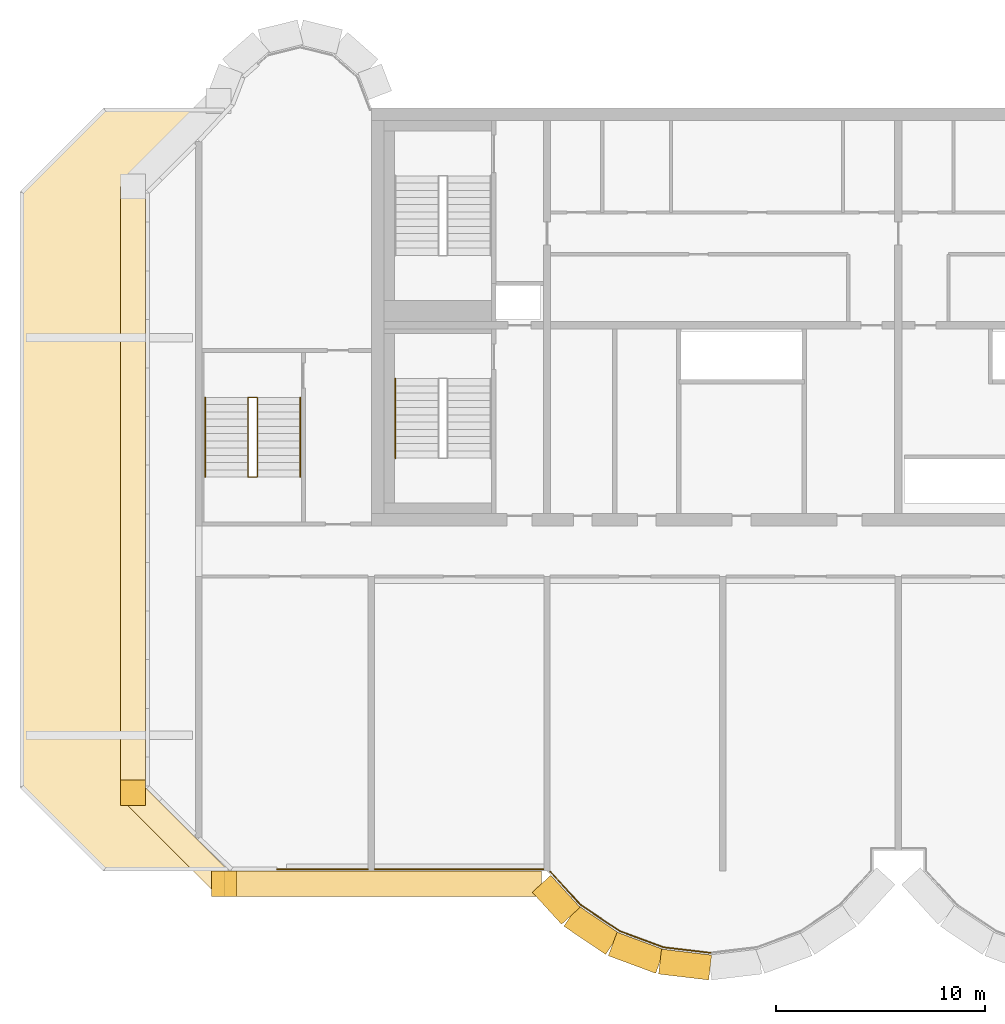
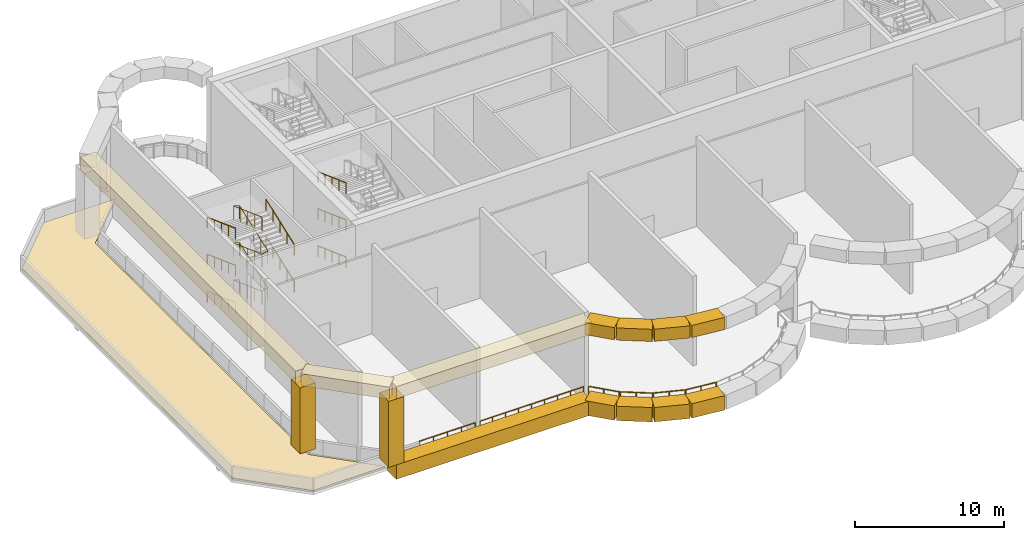
# One storey, part 7 of 11: 19 railings, 15 coverings.
"""IFC4 building model written with IfcOpenShell, lengths in metres."""

from ifc_helpers import new_model, si_unit, direction, frame, origin, origin_2d, place, context, subcontext, project, spatial, polyline, rectangle, circle, outline, extrude, source, transform, mapped, material, layer, layer_set, type_object, element, save


model = new_model("IFC4")

# Units and contexts
model_context = context("Model", 3, precision=1e-05, world=origin(), true_north=direction((0.0, 1.0)))
body_context = subcontext(model_context, "Body", "Model", "MODEL_VIEW")
ifc_project = project(units=[si_unit("LENGTHUNIT", "METRE"), si_unit("AREAUNIT", "SQUARE_METRE"), si_unit("VOLUMEUNIT", "CUBIC_METRE"), si_unit("PLANEANGLEUNIT", "RADIAN"), si_unit("MASSUNIT", "GRAM", prefix="KILO")], contexts=[model_context])

# Site, building, storey
site_placement = place(None, origin())
site = spatial("IfcSite", under=ifc_project, at=site_placement, CompositionType="ELEMENT")
building_placement = place(site_placement, origin())
building = spatial("IfcBuilding", under=site, at=building_placement, Name="Vanashikhar Sky Hotel", CompositionType="ELEMENT")
storey_placement = place(building_placement, frame((0.0, 0.0, 206.39990234375)))
storey = spatial("IfcBuildingStorey", under=building, at=storey_placement, Name="L50", CompositionType="ELEMENT", Elevation=206.39990234375)

# Railings
ifc_material_1 = material(Name="Stainless steel 316", Category="steel")
railing_type_1 = type_object("IfcRailingType", Name="Open edge guard 1200", PredefinedType="GUARDRAIL", material=ifc_material_1)
shared_shape_1 = source(origin(), body_context, "Body", "SweptSolid", [
    extrude(circle(Radius=0.02392578125, at=origin_2d()), frame((0.0, 0.0, 1.17578125), z_axis=(-1.0, 0.0, 0.0), x_axis=(0.0, -1.0, 0.0)), (0.0, 0.0, 1.0), 2.17041015625),
    extrude(circle(Radius=0.02099609375, at=origin_2d()), origin(), (0.0, 0.0, 1.0), 1.15185546875),
    extrude(circle(Radius=0.02099609375, at=origin_2d()), frame((-1.085205078125, 0.0, 0.0)), (0.0, 0.0, 1.0), 1.15185546875),
    extrude(circle(Radius=0.02099609375, at=origin_2d()), frame((-2.17041015625, 0.0, 0.0)), (0.0, 0.0, 1.0), 1.15185546875),
])
for number, where, name in (
    (1, (25.030029296875, 5.60009765625, 0.0), "Open edge guard"),
    (2, (22.859619140625, 5.60009765625, 0.0), "Open edge guard"),
):
    element("IfcRailing", number, at=place(storey_placement, frame(where)), inside=storey, type_object=railing_type_1, Name=name, PredefinedType="GUARDRAIL", context=body_context, shape_type="MappedRepresentation", body=[
        mapped(shared_shape_1, transform((0.0, 0.0, 0.0), scale=1.0)),
    ])
shared_shape_2 = source(origin(), body_context, "Body", "SweptSolid", [
    extrude(circle(Radius=0.02392578125, at=origin_2d()), frame((0.0, 0.0, 1.17578125), z_axis=(-1.0, 0.0, 0.0), x_axis=(0.0, -1.0, 0.0)), (0.0, 0.0, 1.0), 2.014892578125),
    extrude(circle(Radius=0.02099609375, at=origin_2d()), origin(), (0.0, 0.0, 1.0), 1.15185546875),
    extrude(circle(Radius=0.02099609375, at=origin_2d()), frame((-1.00732421875, 0.0, 0.0)), (0.0, 0.0, 1.0), 1.15185546875),
    extrude(circle(Radius=0.02099609375, at=origin_2d()), frame((-2.014892578125, 0.0, 0.0)), (0.0, 0.0, 1.0), 1.15185546875),
])
for number, where, name in (
    (3, (33.429931640625, 5.60009765625, 0.0), "Open edge guard"),
    (4, (29.39990234375, 5.60009765625, 0.0), "Open edge guard"),
    (5, (27.385009765625, 5.60009765625, 0.0), "Open edge guard"),
):
    element("IfcRailing", number, at=place(storey_placement, frame(where)), inside=storey, type_object=railing_type_1, Name=name, PredefinedType="GUARDRAIL", context=body_context, shape_type="MappedRepresentation", body=[
        mapped(shared_shape_2, transform((0.0, 0.0, 0.0), scale=1.0)),
    ])
shared_shape_3 = source(origin(), body_context, "Body", "SweptSolid", [
    extrude(circle(Radius=0.02392578125, at=origin_2d()), frame((0.0, 0.0, 1.17578125), z_axis=(-1.0, 0.0, 0.0), x_axis=(0.0, -1.0, 0.0)), (0.0, 0.0, 1.0), 2.01513671875),
    extrude(circle(Radius=0.02099609375, at=origin_2d()), origin(), (0.0, 0.0, 1.0), 1.15185546875),
    extrude(circle(Radius=0.02099609375, at=origin_2d()), frame((-1.007568359375, 0.0, 0.0)), (0.0, 0.0, 1.0), 1.15185546875),
    extrude(circle(Radius=0.02099609375, at=origin_2d()), frame((-2.01513671875, 0.0, 0.0)), (0.0, 0.0, 1.0), 1.15185546875),
])
railing_1_placement = place(storey_placement, frame((31.4150390625, 5.60009765625, 0.0)))
element("IfcRailing", 6, at=railing_1_placement, inside=storey, type_object=railing_type_1, Name="Open edge guard", PredefinedType="GUARDRAIL", context=body_context, shape_type="MappedRepresentation", body=[
    mapped(shared_shape_3, transform((0.0, 0.0, 0.0), scale=1.0)),
])
shared_shape_4 = source(origin(), body_context, "Body", "SweptSolid", [
    extrude(circle(Radius=0.02392578125, at=origin_2d()), frame((0.0, 0.0, 1.17578125), z_axis=(-0.991600411186, -0.129339184068, 0.0), x_axis=(0.129339184068, -0.991600411186, 0.0)), (0.0, 0.0, 1.0), 0.022705078125),
    extrude(circle(Radius=0.02392578125, at=origin_2d()), frame((-0.0224609375, -0.0029296875, 1.17578125), z_axis=(-0.992998490832, 0.118127038414, 0.0), x_axis=(-0.118127038414, -0.992998490832, 0.0)), (0.0, 0.0, 1.0), 2.203125),
    extrude(circle(Radius=0.02099609375, at=origin_2d()), origin(), (0.0, 0.0, 1.0), 1.15185546875),
    extrude(circle(Radius=0.02099609375, at=origin_2d()), frame((-0.0224609375, -0.0029296875, 0.0)), (0.0, 0.0, 1.0), 1.15185546875),
    extrude(circle(Radius=0.02099609375, at=origin_2d()), frame((-1.1162109375, 0.127197265625, 0.0)), (0.0, 0.0, 1.0), 1.15185546875),
    extrude(circle(Radius=0.02099609375, at=origin_2d()), frame((-2.210205078125, 0.25732421875, 0.0)), (0.0, 0.0, 1.0), 1.15185546875),
])
railing_2_placement = place(storey_placement, frame((41.42236328125, 1.603515625, 0.0)))
element("IfcRailing", 7, at=railing_2_placement, inside=storey, type_object=railing_type_1, Name="Open edge guard", PredefinedType="GUARDRAIL", context=body_context, shape_type="MappedRepresentation", body=[
    mapped(shared_shape_4, transform((0.0, 0.0, 0.0), scale=1.0)),
])
shared_shape_5 = source(origin(), body_context, "Body", "SweptSolid", [
    extrude(circle(Radius=0.02392578125, at=origin_2d()), frame((0.0, 0.0, 1.17578125), z_axis=(-0.99279561301, 0.119820160191, 0.0), x_axis=(-0.119820160191, -0.99279561301, 0.0)), (0.0, 0.0, 1.0), 0.042724609375),
    extrude(circle(Radius=0.02392578125, at=origin_2d()), frame((-0.04248046875, 0.005126953125, 1.17578125), z_axis=(-0.937546214911, 0.347860740679, 0.0), x_axis=(-0.347860740679, -0.937546214911, 0.0)), (0.0, 0.0, 1.0), 2.1826171875),
    extrude(circle(Radius=0.02099609375, at=origin_2d()), origin(), (0.0, 0.0, 1.0), 1.15185546875),
    extrude(circle(Radius=0.02099609375, at=origin_2d()), frame((-0.04248046875, 0.005126953125, 0.0)), (0.0, 0.0, 1.0), 1.15185546875),
    extrude(circle(Radius=0.02099609375, at=origin_2d()), frame((-1.065673828125, 0.384765625, 0.0)), (0.0, 0.0, 1.0), 1.15185546875),
    extrude(circle(Radius=0.02099609375, at=origin_2d()), frame((-2.0888671875, 0.764404296875, 0.0)), (0.0, 0.0, 1.0), 1.15185546875),
])
railing_3_placement = place(storey_placement, frame((39.212158203125, 1.86083984375, 0.0)))
element("IfcRailing", 8, at=railing_3_placement, inside=storey, type_object=railing_type_1, Name="Open edge guard", PredefinedType="GUARDRAIL", context=body_context, shape_type="MappedRepresentation", body=[
    mapped(shared_shape_5, transform((0.0, 0.0, 0.0), scale=1.0)),
])
shared_shape_6 = source(origin(), body_context, "Body", "SweptSolid", [
    extrude(circle(Radius=0.02392578125, at=origin_2d()), frame((0.0, 0.0, 1.17578125), z_axis=(-0.93710644919, 0.349043697674, 0.0), x_axis=(-0.349043697674, -0.93710644919, 0.0)), (0.0, 0.0, 1.0), 0.064453125),
    extrude(circle(Radius=0.02392578125, at=origin_2d()), frame((-0.060302734375, 0.0224609375, 1.17578125), z_axis=(-0.829591772708, 0.558370388412, 0.0), x_axis=(-0.558370388412, -0.829591772708, 0.0)), (0.0, 0.0, 1.0), 2.161376953125),
    extrude(circle(Radius=0.02099609375, at=origin_2d()), origin(), (0.0, 0.0, 1.0), 1.15185546875),
    extrude(circle(Radius=0.02099609375, at=origin_2d()), frame((-0.060302734375, 0.0224609375, 0.0)), (0.0, 0.0, 1.0), 1.15185546875),
    extrude(circle(Radius=0.02099609375, at=origin_2d()), frame((-0.956787109375, 0.6259765625, 0.0)), (0.0, 0.0, 1.0), 1.15185546875),
    extrude(circle(Radius=0.02099609375, at=origin_2d()), frame((-1.853271484375, 1.229248046875, 0.0)), (0.0, 0.0, 1.0), 1.15185546875),
])
railing_4_placement = place(storey_placement, frame((37.123291015625, 2.625244140625, 0.0)))
element("IfcRailing", 9, at=railing_4_placement, inside=storey, type_object=railing_type_1, Name="Open edge guard", PredefinedType="GUARDRAIL", context=body_context, shape_type="MappedRepresentation", body=[
    mapped(shared_shape_6, transform((0.0, 0.0, 0.0), scale=1.0)),
])
shared_shape_7 = source(origin(), body_context, "Body", "SweptSolid", [
    extrude(circle(Radius=0.02392578125, at=origin_2d()), frame((0.0, 0.0, 1.17578125), z_axis=(-0.830296320178, 0.557322187517, 0.0), x_axis=(-0.557322187517, -0.830296320178, 0.0)), (0.0, 0.0, 1.0), 0.0859375),
    extrude(circle(Radius=0.02392578125, at=origin_2d()), frame((-0.0712890625, 0.0478515625, 1.17578125), z_axis=(-0.675388701556, 0.737461932448, 0.0), x_axis=(-0.737461932448, -0.675388701556, 0.0)), (0.0, 0.0, 1.0), 2.1396484375),
    extrude(circle(Radius=0.02099609375, at=origin_2d()), origin(), (0.0, 0.0, 1.0), 1.15185546875),
    extrude(circle(Radius=0.02099609375, at=origin_2d()), frame((-0.0712890625, 0.0478515625, 0.0)), (0.0, 0.0, 1.0), 1.15185546875),
    extrude(circle(Radius=0.02099609375, at=origin_2d()), frame((-0.7939453125, 0.8369140625, 0.0)), (0.0, 0.0, 1.0), 1.15185546875),
    extrude(circle(Radius=0.02099609375, at=origin_2d()), frame((-1.516357421875, 1.625732421875, 0.0)), (0.0, 0.0, 1.0), 1.15185546875),
])
railing_5_placement = place(storey_placement, frame((35.27001953125, 3.8544921875, 0.0)))
element("IfcRailing", 10, at=railing_5_placement, inside=storey, type_object=railing_type_1, Name="Open edge guard", PredefinedType="GUARDRAIL", context=body_context, shape_type="MappedRepresentation", body=[
    mapped(shared_shape_7, transform((0.0, 0.0, 0.0), scale=1.0)),
])

# Coverings
ifc_material_2 = material(Name="Concrete M60 dark", Category="concrete")
covering_type_1 = type_object("IfcCoveringType", Name="Wind floor portal frame", PredefinedType="CLADDING", material=ifc_material_2)
shared_shape_8 = source(origin(), body_context, "Body", "SweptSolid", [
    extrude(rectangle(XDim=15.184326171875, YDim=1.199951171875, at=origin_2d()), origin(), (0.0, 0.0, 1.0), 1.0),
])
covering_1_placement = place(storey_placement, frame((25.74365234375, 4.89990234375, 6.320068359375), z_axis=(0.0, 0.0, 1.0), x_axis=(1.0, 0.0, 0.0)))
element("IfcCovering", 11, at=covering_1_placement, inside=storey, type_object=covering_type_1, Name="Portal frame head", PredefinedType="CLADDING", context=body_context, shape_type="MappedRepresentation", body=[
    mapped(shared_shape_8, transform((0.0, 0.0, 0.0), scale=1.0)),
])
shared_shape_9 = source(origin(), body_context, "Body", "SweptSolid", [
    extrude(rectangle(XDim=15.184326171875, YDim=1.199951171875, at=origin_2d()), origin(), (0.0, 0.0, 1.0), 1.179931640625),
])
covering_2_placement = place(storey_placement, frame((25.74365234375, 4.89990234375, -0.27978515625), z_axis=(0.0, 0.0, 1.0), x_axis=(1.0, 0.0, 0.0)))
element("IfcCovering", 12, at=covering_2_placement, inside=storey, type_object=covering_type_1, Name="Portal frame sill", PredefinedType="CLADDING", context=body_context, shape_type="MappedRepresentation", body=[
    mapped(shared_shape_9, transform((0.0, 0.0, 0.0), scale=1.0)),
])
shared_shape_10 = source(origin(), body_context, "Body", "SweptSolid", [
    extrude(rectangle(XDim=2.0771484375, YDim=1.199951171875, at=origin_2d()), origin(), (0.0, 0.0, 1.0), 1.0),
])
covering_3_placement = place(storey_placement, frame((34.037353515625, 4.134033203125, 6.320068359375), z_axis=(0.0, 0.0, 1.0), x_axis=(0.67534568005, -0.737501330465, 0.0)))
element("IfcCovering", 13, at=covering_3_placement, inside=storey, type_object=covering_type_1, Name="Portal frame head", PredefinedType="CLADDING", context=body_context, shape_type="MappedRepresentation", body=[
    mapped(shared_shape_10, transform((0.0, 0.0, 0.0), scale=1.0)),
])
shared_shape_11 = source(origin(), body_context, "Body", "SweptSolid", [
    extrude(rectangle(XDim=2.0771484375, YDim=1.199951171875, at=origin_2d()), origin(), (0.0, 0.0, 1.0), 1.179931640625),
])
covering_4_placement = place(storey_placement, frame((34.037353515625, 4.134033203125, -0.27978515625), z_axis=(0.0, 0.0, 1.0), x_axis=(0.67534568005, -0.737501330465, 0.0)))
element("IfcCovering", 14, at=covering_4_placement, inside=storey, type_object=covering_type_1, Name="Portal frame sill", PredefinedType="CLADDING", context=body_context, shape_type="MappedRepresentation", body=[
    mapped(shared_shape_11, transform((0.0, 0.0, 0.0), scale=1.0)),
])
shared_shape_12 = source(origin(), body_context, "Body", "SweptSolid", [
    extrude(rectangle(XDim=2.413818359375, YDim=1.199951171875, at=origin_2d()), origin(), (0.0, 0.0, 1.0), 1.0),
])
for number, where, z_axis, x_axis, name in (
    (15, (35.739990234375, 2.694091796875, 6.320068359375), (0.0, 0.0, 1.0), (0.829603213612, -0.558353389857, 0.0), "Portal frame head"),
    (16, (37.872802734375, 1.6005859375, 6.320068359375), (0.0, 0.0, 1.0), (0.937531182424, -0.347901253208, 0.0), "Portal frame head"),
):
    element("IfcCovering", number, at=place(storey_placement, frame(where, z_axis=z_axis, x_axis=x_axis)), inside=storey, type_object=covering_type_1, Name=name, PredefinedType="CLADDING", context=body_context, shape_type="MappedRepresentation", body=[
        mapped(shared_shape_12, transform((0.0, 0.0, 0.0), scale=1.0)),
    ])
shared_shape_13 = source(origin(), body_context, "Body", "SweptSolid", [
    extrude(rectangle(XDim=2.413818359375, YDim=1.199951171875, at=origin_2d()), origin(), (0.0, 0.0, 1.0), 1.179931640625),
])
for number, where, z_axis, x_axis, name in (
    (17, (35.739990234375, 2.694091796875, -0.27978515625), (0.0, 0.0, 1.0), (0.829603213612, -0.558353389857, 0.0), "Portal frame sill"),
    (18, (37.872802734375, 1.6005859375, -0.27978515625), (0.0, 0.0, 1.0), (0.937531182424, -0.347901253208, 0.0), "Portal frame sill"),
):
    element("IfcCovering", number, at=place(storey_placement, frame(where, z_axis=z_axis, x_axis=x_axis)), inside=storey, type_object=covering_type_1, Name=name, PredefinedType="CLADDING", context=body_context, shape_type="MappedRepresentation", body=[
        mapped(shared_shape_13, transform((0.0, 0.0, 0.0), scale=1.0)),
    ])
shared_shape_14 = source(origin(), body_context, "Body", "SweptSolid", [
    extrude(rectangle(XDim=2.41259765625, YDim=1.199951171875, at=origin_2d()), origin(), (0.0, 0.0, 1.0), 1.0),
])
covering_5_placement = place(storey_placement, frame((40.2021484375, 1.0380859375, 6.320068359375), z_axis=(0.0, 0.0, 1.0), x_axis=(0.993008838731, -0.118040019495, 0.0)))
element("IfcCovering", 19, at=covering_5_placement, inside=storey, type_object=covering_type_1, Name="Portal frame head", PredefinedType="CLADDING", context=body_context, shape_type="MappedRepresentation", body=[
    mapped(shared_shape_14, transform((0.0, 0.0, 0.0), scale=1.0)),
])
shared_shape_15 = source(origin(), body_context, "Body", "SweptSolid", [
    extrude(rectangle(XDim=2.41259765625, YDim=1.199951171875, at=origin_2d()), origin(), (0.0, 0.0, 1.0), 1.179931640625),
])
covering_6_placement = place(storey_placement, frame((40.2021484375, 1.0380859375, -0.27978515625), z_axis=(0.0, 0.0, 1.0), x_axis=(0.993008838731, -0.118040019495, 0.0)))
element("IfcCovering", 20, at=covering_6_placement, inside=storey, type_object=covering_type_1, Name="Portal frame sill", PredefinedType="CLADDING", context=body_context, shape_type="MappedRepresentation", body=[
    mapped(shared_shape_15, transform((0.0, 0.0, 0.0), scale=1.0)),
])
shared_shape_16 = source(origin(), body_context, "Body", "SweptSolid", [
    extrude(rectangle(XDim=6.154052734375, YDim=1.199951171875, at=origin_2d()), origin(), (0.0, 0.0, 1.0), 1.0),
])
covering_7_placement = place(storey_placement, frame((15.9755859375, 7.07568359375, 6.320068359375), z_axis=(0.0, 0.0, 1.0), x_axis=(0.707106781187, -0.707106781187, 0.0)))
element("IfcCovering", 21, at=covering_7_placement, inside=storey, type_object=covering_type_1, Name="Portal frame head", PredefinedType="CLADDING", context=body_context, shape_type="MappedRepresentation", body=[
    mapped(shared_shape_16, transform((0.0, 0.0, 0.0), scale=1.0)),
])
shared_shape_17 = source(origin(), body_context, "Body", "SweptSolid", [
    extrude(rectangle(XDim=28.9970703125, YDim=1.199951171875, at=origin_2d()), origin(), (0.0, 0.0, 1.0), 1.0),
])
covering_8_placement = place(storey_placement, frame((13.800048828125, 23.75, 6.320068359375), z_axis=(0.0, 0.0, 1.0), x_axis=(0.0, -1.0, 0.0)))
element("IfcCovering", 22, at=covering_8_placement, inside=storey, type_object=covering_type_1, Name="Portal frame head", PredefinedType="CLADDING", context=body_context, shape_type="MappedRepresentation", body=[
    mapped(shared_shape_17, transform((0.0, 0.0, 0.0), scale=1.0)),
])
shared_shape_18 = source(origin(), body_context, "Body", "SweptSolid", [
    extrude(rectangle(XDim=1.199951171875, YDim=1.199951171875, at=origin_2d()), origin(), (0.0, 0.0, 1.0), 5.419921875),
])
for number, where, z_axis, x_axis, name in (
    (23, (13.800048828125, 9.25146484375, 0.900146484375), (0.0, 0.0, 1.0), (1.0, 0.0, 0.0), "Portal frame jamb"),
    (24, (18.151611328125, 4.89990234375, 0.900146484375), (0.0, 0.0, 1.0), (1.0, 0.0, 0.0), "Portal frame jamb"),
):
    element("IfcCovering", number, at=place(storey_placement, frame(where, z_axis=z_axis, x_axis=x_axis)), inside=storey, type_object=covering_type_1, Name=name, PredefinedType="CLADDING", context=body_context, shape_type="MappedRepresentation", body=[
        mapped(shared_shape_18, transform((0.0, 0.0, 0.0), scale=1.0)),
    ])
ifc_material_3 = material(Name="Paving stone", Category="masonry")
ifc_layer = layer(ifc_material_3, 0.050048828125)
ifc_layer_set = layer_set([ifc_layer], Name="Paving stone 50")
covering_type_2 = type_object("IfcCoveringType", Name="Paving stone 50", PredefinedType="FLOORING", material=ifc_layer_set)
shared_shape_19 = source(origin(), body_context, "Body", "SweptSolid", [
    extrude(outline(polyline([(18.105224609375, 5.6220703125), (12.45068359375, 5.6220703125), (8.52197265625, 9.55078125), (8.52197265625, 37.94921875), (12.45068359375, 41.8779296875), (18.105224609375, 41.8779296875), (14.278076171875, 38.05078125), (14.278076171875, 9.44921875), (18.105224609375, 5.6220703125)])), origin(), (0.0, 0.0, 1.0), 0.0498046875),
])
covering_9_placement = place(storey_placement, frame((0.0, 0.0, -0.0498046875)))
element("IfcCovering", 25, at=covering_9_placement, inside=storey, type_object=covering_type_2, Name="Terrace paving", PredefinedType="FLOORING", context=body_context, shape_type="MappedRepresentation", body=[
    mapped(shared_shape_19, transform((0.0, 0.0, 0.0), scale=1.0)),
])

# Railings
ifc_material_4 = material(Name="Steel S355", Category="steel")
railing_type_2 = type_object("IfcRailingType", Name="Stair handrail 900", PredefinedType="HANDRAIL", material=ifc_material_4)
shared_shape_20 = source(origin(), body_context, "Body", "SweptSolid", [
    extrude(circle(Radius=0.02392578125, at=origin_2d()), frame((0.0, 0.0, 0.8759765625), z_axis=(0.0, -0.938879565204, 0.344245787255), x_axis=(1.0, 0.0, 0.0)), (0.0, 0.0, 1.0), 4.04736328125),
    extrude(circle(Radius=0.02099609375, at=origin_2d()), origin(), (0.0, 0.0, 1.0), 0.851806640625),
    extrude(circle(Radius=0.02099609375, at=origin_2d()), frame((0.0, -0.949951171875, 0.348388671875)), (0.0, 0.0, 1.0), 0.851806640625),
    extrude(circle(Radius=0.02099609375, at=origin_2d()), frame((0.0, -1.89990234375, 0.69677734375)), (0.0, 0.0, 1.0), 0.851806640625),
    extrude(circle(Radius=0.02099609375, at=origin_2d()), frame((0.0, -2.85009765625, 1.044921875)), (0.0, 0.0, 1.0), 0.851806640625),
    extrude(circle(Radius=0.02099609375, at=origin_2d()), frame((0.0, -3.800048828125, 1.393310546875)), (0.0, 0.0, 1.0), 0.851806640625),
])
for number, where, name in (
    (26, (26.35009765625, 29.050048828125, 0.126708984375), "Exit stair 1 handrail"),
    (27, (26.35009765625, 29.050048828125, 3.166748046875), "Exit stair 1 handrail"),
    (28, (26.35009765625, 29.050048828125, 6.206787109375), "Exit stair 1 handrail"),
):
    element("IfcRailing", number, at=place(storey_placement, frame(where)), inside=storey, type_object=railing_type_2, Name=name, PredefinedType="HANDRAIL", context=body_context, shape_type="MappedRepresentation", body=[
        mapped(shared_shape_20, transform((0.0, 0.0, 0.0), scale=1.0)),
    ])
railing_type_3 = type_object("IfcRailingType", Name="Stair guard 1100", PredefinedType="GUARDRAIL", material=ifc_material_4)
shared_shape_21 = source(origin(), body_context, "Body", "SweptSolid", [
    extrude(circle(Radius=0.02392578125, at=origin_2d()), frame((0.0, 0.0, 1.076171875), z_axis=(-0.962561556651, 0.0, 0.271063183886), x_axis=(0.0, -1.0, 0.0)), (0.0, 0.0, 1.0), 0.467529296875),
    extrude(circle(Radius=0.02392578125, at=origin_2d()), frame((-0.449951171875, 0.0, 1.20263671875), z_axis=(0.0, -0.938872416375, 0.344265284005), x_axis=(1.0, 0.0, 0.0)), (0.0, 0.0, 1.0), 4.047119140625),
    extrude(circle(Radius=0.02392578125, at=origin_2d()), frame((-0.449951171875, -3.7998046875, 2.59619140625), z_axis=(0.962561556651, 0.0, 0.271063183886), x_axis=(0.0, 1.0, 0.0)), (0.0, 0.0, 1.0), 0.467529296875),
    extrude(circle(Radius=0.02392578125, at=origin_2d()), frame((0.0, -3.7998046875, 2.72265625), z_axis=(0.0, 0.938872416375, 0.344265284005), x_axis=(-1.0, 0.0, 0.0)), (0.0, 0.0, 1.0), 4.047119140625),
    extrude(circle(Radius=0.02392578125, at=origin_2d()), frame((0.0, 0.0, 4.1162109375), z_axis=(-0.962561556651, 0.0, 0.271063183886), x_axis=(0.0, -1.0, 0.0)), (0.0, 0.0, 1.0), 0.467529296875),
    extrude(circle(Radius=0.02392578125, at=origin_2d()), frame((-0.449951171875, 0.0, 4.24267578125), z_axis=(0.0, -0.938872416375, 0.344265284005), x_axis=(1.0, 0.0, 0.0)), (0.0, 0.0, 1.0), 4.047119140625),
    extrude(circle(Radius=0.02392578125, at=origin_2d()), frame((-0.449951171875, -3.7998046875, 5.63623046875), z_axis=(0.962561556651, 0.0, 0.271063183886), x_axis=(0.0, 1.0, 0.0)), (0.0, 0.0, 1.0), 0.467529296875),
    extrude(circle(Radius=0.02392578125, at=origin_2d()), frame((0.0, -3.7998046875, 5.7626953125), z_axis=(0.0, 0.938872416375, 0.344265284005), x_axis=(-1.0, 0.0, 0.0)), (0.0, 0.0, 1.0), 4.047119140625),
    extrude(circle(Radius=0.02392578125, at=origin_2d()), frame((0.0, 0.0, 7.15625), z_axis=(-0.962561556651, 0.0, 0.271063183886), x_axis=(0.0, -1.0, 0.0)), (0.0, 0.0, 1.0), 0.467529296875),
    extrude(circle(Radius=0.02392578125, at=origin_2d()), frame((-0.449951171875, 0.0, 7.28271484375), z_axis=(0.0, -0.938872416375, 0.344265284005), x_axis=(1.0, 0.0, 0.0)), (0.0, 0.0, 1.0), 4.047119140625),
    extrude(circle(Radius=0.02099609375, at=origin_2d()), origin(), (0.0, 0.0, 1.0), 1.052001953125),
    extrude(circle(Radius=0.02099609375, at=origin_2d()), frame((-0.449951171875, 0.0, 0.126708984375)), (0.0, 0.0, 1.0), 1.052001953125),
    extrude(circle(Radius=0.02099609375, at=origin_2d()), frame((-0.449951171875, -0.949951171875, 0.47509765625)), (0.0, 0.0, 1.0), 1.052001953125),
    extrude(circle(Radius=0.02099609375, at=origin_2d()), frame((-0.449951171875, -1.89990234375, 0.8232421875)), (0.0, 0.0, 1.0), 1.052001953125),
    extrude(circle(Radius=0.02099609375, at=origin_2d()), frame((-0.449951171875, -2.849853515625, 1.171630859375)), (0.0, 0.0, 1.0), 1.052001953125),
    extrude(circle(Radius=0.02099609375, at=origin_2d()), frame((-0.449951171875, -3.7998046875, 1.52001953125)), (0.0, 0.0, 1.0), 1.052001953125),
    extrude(circle(Radius=0.02099609375, at=origin_2d()), frame((0.0, -3.7998046875, 1.646728515625)), (0.0, 0.0, 1.0), 1.052001953125),
    extrude(circle(Radius=0.02099609375, at=origin_2d()), frame((0.0, -2.849853515625, 1.9951171875)), (0.0, 0.0, 1.0), 1.052001953125),
    extrude(circle(Radius=0.02099609375, at=origin_2d()), frame((0.0, -1.89990234375, 2.34326171875)), (0.0, 0.0, 1.0), 1.052001953125),
    extrude(circle(Radius=0.02099609375, at=origin_2d()), frame((0.0, -0.949951171875, 2.691650390625)), (0.0, 0.0, 1.0), 1.052001953125),
    extrude(circle(Radius=0.02099609375, at=origin_2d()), frame((0.0, 0.0, 3.0400390625)), (0.0, 0.0, 1.0), 1.052001953125),
    extrude(circle(Radius=0.02099609375, at=origin_2d()), frame((-0.449951171875, 0.0, 3.166748046875)), (0.0, 0.0, 1.0), 1.052001953125),
    extrude(circle(Radius=0.02099609375, at=origin_2d()), frame((-0.449951171875, -0.949951171875, 3.51513671875)), (0.0, 0.0, 1.0), 1.052001953125),
    extrude(circle(Radius=0.02099609375, at=origin_2d()), frame((-0.449951171875, -1.89990234375, 3.86328125)), (0.0, 0.0, 1.0), 1.052001953125),
    extrude(circle(Radius=0.02099609375, at=origin_2d()), frame((-0.449951171875, -2.849853515625, 4.211669921875)), (0.0, 0.0, 1.0), 1.052001953125),
    extrude(circle(Radius=0.02099609375, at=origin_2d()), frame((-0.449951171875, -3.7998046875, 4.56005859375)), (0.0, 0.0, 1.0), 1.052001953125),
    extrude(circle(Radius=0.02099609375, at=origin_2d()), frame((0.0, -3.7998046875, 4.686767578125)), (0.0, 0.0, 1.0), 1.052001953125),
    extrude(circle(Radius=0.02099609375, at=origin_2d()), frame((0.0, -2.849853515625, 5.03515625)), (0.0, 0.0, 1.0), 1.052001953125),
    extrude(circle(Radius=0.02099609375, at=origin_2d()), frame((0.0, -1.89990234375, 5.38330078125)), (0.0, 0.0, 1.0), 1.052001953125),
    extrude(circle(Radius=0.02099609375, at=origin_2d()), frame((0.0, -0.949951171875, 5.731689453125)), (0.0, 0.0, 1.0), 1.052001953125),
    extrude(circle(Radius=0.02099609375, at=origin_2d()), frame((0.0, 0.0, 6.080078125)), (0.0, 0.0, 1.0), 1.052001953125),
    extrude(circle(Radius=0.02099609375, at=origin_2d()), frame((-0.449951171875, 0.0, 6.206787109375)), (0.0, 0.0, 1.0), 1.052001953125),
    extrude(circle(Radius=0.02099609375, at=origin_2d()), frame((-0.449951171875, -0.949951171875, 6.55517578125)), (0.0, 0.0, 1.0), 1.052001953125),
    extrude(circle(Radius=0.02099609375, at=origin_2d()), frame((-0.449951171875, -1.89990234375, 6.9033203125)), (0.0, 0.0, 1.0), 1.052001953125),
    extrude(circle(Radius=0.02099609375, at=origin_2d()), frame((-0.449951171875, -2.849853515625, 7.251708984375)), (0.0, 0.0, 1.0), 1.052001953125),
    extrude(circle(Radius=0.02099609375, at=origin_2d()), frame((-0.449951171875, -3.7998046875, 7.60009765625)), (0.0, 0.0, 1.0), 1.052001953125),
])
railing_6_placement = place(storey_placement, frame((19.75, 28.14990234375, 0.0)))
element("IfcRailing", 29, at=railing_6_placement, inside=storey, type_object=railing_type_3, Name="Exit stair 3 guard", PredefinedType="GUARDRAIL", context=body_context, shape_type="MappedRepresentation", body=[
    mapped(shared_shape_21, transform((0.0, 0.0, 0.0), scale=1.0)),
])
shared_shape_22 = source(origin(), body_context, "Body", "SweptSolid", [
    extrude(circle(Radius=0.02392578125, at=origin_2d()), frame((0.0, 0.0, 0.8759765625), z_axis=(0.0, -0.938872416375, 0.344265284005), x_axis=(1.0, 0.0, 0.0)), (0.0, 0.0, 1.0), 4.047119140625),
    extrude(circle(Radius=0.02099609375, at=origin_2d()), origin(), (0.0, 0.0, 1.0), 0.851806640625),
    extrude(circle(Radius=0.02099609375, at=origin_2d()), frame((0.0, -0.949951171875, 0.348388671875)), (0.0, 0.0, 1.0), 0.851806640625),
    extrude(circle(Radius=0.02099609375, at=origin_2d()), frame((0.0, -1.89990234375, 0.69677734375)), (0.0, 0.0, 1.0), 0.851806640625),
    extrude(circle(Radius=0.02099609375, at=origin_2d()), frame((0.0, -2.849853515625, 1.044921875)), (0.0, 0.0, 1.0), 0.851806640625),
    extrude(circle(Radius=0.02099609375, at=origin_2d()), frame((0.0, -3.7998046875, 1.393310546875)), (0.0, 0.0, 1.0), 0.851806640625),
])
for number, where, name in (
    (30, (17.25, 28.14990234375, 0.126708984375), "Exit stair 3 handrail"),
    (31, (17.25, 28.14990234375, 3.166748046875), "Exit stair 3 handrail"),
    (32, (17.25, 28.14990234375, 6.206787109375), "Exit stair 3 handrail"),
):
    element("IfcRailing", number, at=place(storey_placement, frame(where)), inside=storey, type_object=railing_type_2, Name=name, PredefinedType="HANDRAIL", context=body_context, shape_type="MappedRepresentation", body=[
        mapped(shared_shape_22, transform((0.0, 0.0, 0.0), scale=1.0)),
    ])
shared_shape_23 = source(origin(), body_context, "Body", "SweptSolid", [
    extrude(circle(Radius=0.02392578125, at=origin_2d()), frame((0.0, 0.0, 0.8759765625), z_axis=(0.0, 0.938872416375, 0.344265284005), x_axis=(-1.0, 0.0, 0.0)), (0.0, 0.0, 1.0), 4.047119140625),
    extrude(circle(Radius=0.02099609375, at=origin_2d()), origin(), (0.0, 0.0, 1.0), 0.851806640625),
    extrude(circle(Radius=0.02099609375, at=origin_2d()), frame((0.0, 0.949951171875, 0.348388671875)), (0.0, 0.0, 1.0), 0.851806640625),
    extrude(circle(Radius=0.02099609375, at=origin_2d()), frame((0.0, 1.89990234375, 0.69677734375)), (0.0, 0.0, 1.0), 0.851806640625),
    extrude(circle(Radius=0.02099609375, at=origin_2d()), frame((0.0, 2.849853515625, 1.044921875)), (0.0, 0.0, 1.0), 0.851806640625),
    extrude(circle(Radius=0.02099609375, at=origin_2d()), frame((0.0, 3.7998046875, 1.393310546875)), (0.0, 0.0, 1.0), 0.851806640625),
])
for number, where, name in (
    (33, (21.800048828125, 24.35009765625, 1.646728515625), "Exit stair 3 handrail"),
    (34, (21.800048828125, 24.35009765625, 4.686767578125), "Exit stair 3 handrail"),
):
    element("IfcRailing", number, at=place(storey_placement, frame(where)), inside=storey, type_object=railing_type_2, Name=name, PredefinedType="HANDRAIL", context=body_context, shape_type="MappedRepresentation", body=[
        mapped(shared_shape_23, transform((0.0, 0.0, 0.0), scale=1.0)),
    ])

save(model, "model.ifc")
